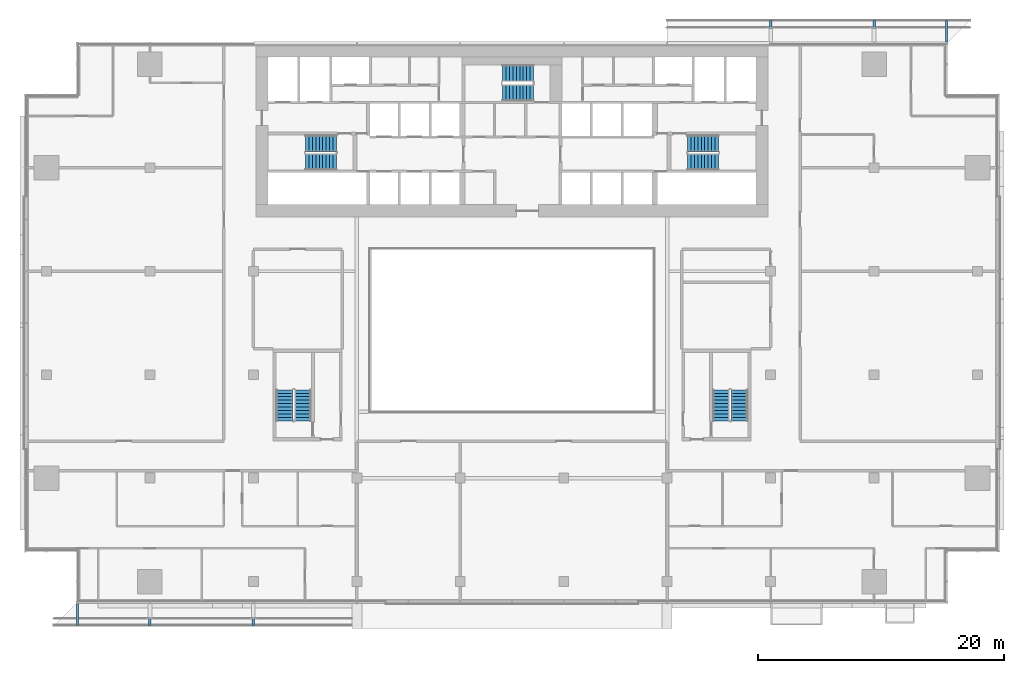
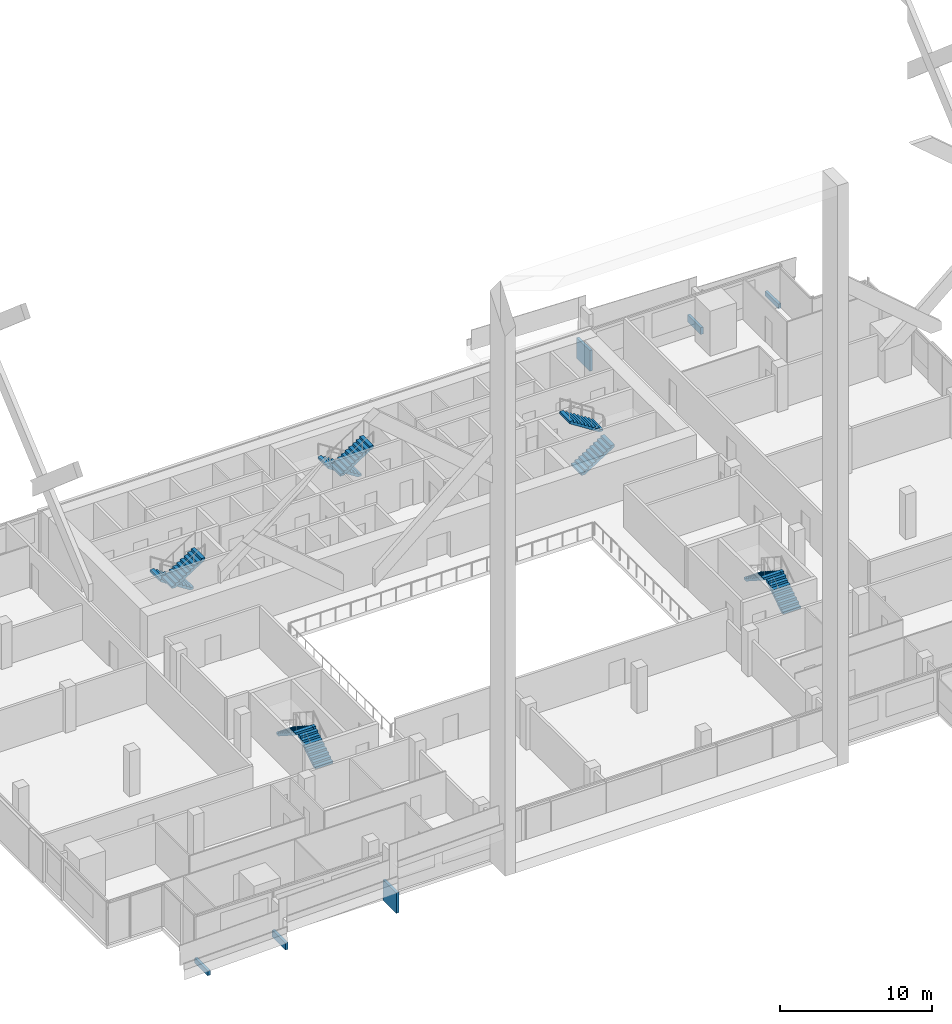
# One storey, part 25 of 30: 10 stair flights, 6 discrete accessories, 5 elements without a shape of their own.
"""IFC4 building model written with IfcOpenShell, lengths in metres."""

from ifc_helpers import new_model, si_unit, direction, frame, origin, origin_2d, place, context, subcontext, project, spatial, polyline, rectangle, outline, extrude, material, type_object, element, aggregate, save


model = new_model("IFC4")

# Units and contexts
model_context = context("Model", 3, precision=1e-05, world=origin(), true_north=direction((0.0, 1.0)))
body_context = subcontext(model_context, "Body", "Model", "MODEL_VIEW")
ifc_project = project(units=[si_unit("LENGTHUNIT", "METRE"), si_unit("AREAUNIT", "SQUARE_METRE"), si_unit("VOLUMEUNIT", "CUBIC_METRE"), si_unit("PLANEANGLEUNIT", "RADIAN"), si_unit("MASSUNIT", "GRAM", prefix="KILO")], contexts=[model_context])

# Site, building, storey
site_placement = place(None, origin())
site = spatial("IfcSite", under=ifc_project, at=site_placement, CompositionType="ELEMENT")
building_placement = place(site_placement, origin())
building = spatial("IfcBuilding", under=site, at=building_placement, Name="Saffron Gate Tower", CompositionType="ELEMENT")
storey_placement = place(building_placement, frame((0.0, 0.0, 95.25)))
storey = spatial("IfcBuildingStorey", under=building, at=storey_placement, Name="L21", CompositionType="ELEMENT", Elevation=95.25)

# Stair, stair flights
ifc_material = material(Name="Concrete C40", Category="concrete")
stair_type = type_object("IfcStairType", Name="ST7 Stair 1350 wide, 20 risers of 180", PredefinedType="HALF_TURN_STAIR", material=ifc_material)
stair_1_placement = place(storey_placement, origin())
stair_1 = element("IfcStair", 1, at=stair_1_placement, inside=storey, type_object=stair_type, Name="L21 Exit stair A", PredefinedType="HALF_TURN_STAIR")
stair_flight_type = type_object("IfcStairFlightType", Name="SF3 Stair flight 1350 wide, riser 180 going 280", PredefinedType="STRAIGHT", material=ifc_material)
stair_flight_1_placement = place(storey_placement, frame((73.35009765625, 67.375, 0.0), z_axis=(0.0, 0.0, 1.0), x_axis=(-1.0, 0.0, 0.0)))
stair_flight_1 = element("IfcStairFlight", 2, at=stair_flight_1_placement, type_object=stair_flight_type, Name="ST-A flight 1", NumberOfRisers=10, NumberOfTreads=9, PredefinedType="STRAIGHT", RiserHeight=0.18, TreadLength=0.28, context=body_context, shape_type="SweptSolid", body=[
    extrude(outline(polyline([(0.0, 0.0), (0.0, 0.179931640625), (0.280029296875, 0.179931640625), (0.280029296875, 0.360107421875), (0.56005859375, 0.360107421875), (0.56005859375, 0.5400390625), (0.840087890625, 0.5400390625), (0.840087890625, 0.719970703125), (1.1201171875, 0.719970703125), (1.1201171875, 0.89990234375), (1.39990234375, 0.89990234375), (1.39990234375, 1.080078125), (1.679931640625, 1.080078125), (1.679931640625, 1.260009765625), (1.9599609375, 1.260009765625), (1.9599609375, 1.43994140625), (2.239990234375, 1.43994140625), (2.239990234375, 1.6201171875), (2.52001953125, 1.6201171875), (2.52001953125, 1.800048828125), (2.52001953125, 1.44189453125), (0.277099609375, 0.0), (0.0, 0.0)])), frame((0.0, 0.675048828125, 0.0), z_axis=(0.0, -1.0, 0.0), x_axis=(1.0, 0.0, 0.0)), (0.0, 0.0, 1.0), 1.35009765625),
])
stair_flight_2_placement = place(storey_placement, frame((70.830078125, 65.875, 1.800048828125), z_axis=(0.0, 0.0, 1.0), x_axis=(1.0, 0.0, 0.0)))
stair_flight_2 = element("IfcStairFlight", 3, at=stair_flight_2_placement, type_object=stair_flight_type, Name="ST-A flight 2", NumberOfRisers=10, NumberOfTreads=9, PredefinedType="STRAIGHT", RiserHeight=0.18, TreadLength=0.28, context=body_context, shape_type="SweptSolid", body=[
    extrude(outline(polyline([(0.0, 0.0), (0.0, 0.179931640625), (0.280029296875, 0.179931640625), (0.280029296875, 0.360107421875), (0.56005859375, 0.360107421875), (0.56005859375, 0.5400390625), (0.840087890625, 0.5400390625), (0.840087890625, 0.719970703125), (1.1201171875, 0.719970703125), (1.1201171875, 0.89990234375), (1.39990234375, 0.89990234375), (1.39990234375, 1.080078125), (1.679931640625, 1.080078125), (1.679931640625, 1.260009765625), (1.9599609375, 1.260009765625), (1.9599609375, 1.43994140625), (2.239990234375, 1.43994140625), (2.239990234375, 1.6201171875), (2.52001953125, 1.6201171875), (2.52001953125, 1.800048828125), (2.52001953125, 1.44189453125), (0.277099609375, 0.0), (0.0, 0.0)])), frame((0.0, 0.675048828125, 0.0), z_axis=(0.0, -1.0, 0.0), x_axis=(1.0, 0.0, 0.0)), (0.0, 0.0, 1.0), 1.35009765625),
])
aggregate(stair_1, [stair_flight_1, stair_flight_2])

stair_2_placement = place(storey_placement, origin())
stair_2 = element("IfcStair", 4, at=stair_2_placement, inside=storey, type_object=stair_type, Name="L21 Exit stair B", PredefinedType="HALF_TURN_STAIR")
stair_flight_3_placement = place(storey_placement, frame((101.85009765625, 65.875, 0.0), z_axis=(0.0, 0.0, 1.0), x_axis=(1.0, 0.0, 0.0)))
stair_flight_3 = element("IfcStairFlight", 5, at=stair_flight_3_placement, type_object=stair_flight_type, Name="ST-B flight 1", NumberOfRisers=10, NumberOfTreads=9, PredefinedType="STRAIGHT", RiserHeight=0.18, TreadLength=0.28, context=body_context, shape_type="SweptSolid", body=[
    extrude(outline(polyline([(0.0, 0.0), (0.0, 0.179931640625), (0.280029296875, 0.179931640625), (0.280029296875, 0.360107421875), (0.56005859375, 0.360107421875), (0.56005859375, 0.5400390625), (0.840087890625, 0.5400390625), (0.840087890625, 0.719970703125), (1.1201171875, 0.719970703125), (1.1201171875, 0.89990234375), (1.39990234375, 0.89990234375), (1.39990234375, 1.080078125), (1.679931640625, 1.080078125), (1.679931640625, 1.260009765625), (1.9599609375, 1.260009765625), (1.9599609375, 1.43994140625), (2.239990234375, 1.43994140625), (2.239990234375, 1.6201171875), (2.52001953125, 1.6201171875), (2.52001953125, 1.800048828125), (2.52001953125, 1.44189453125), (0.277099609375, 0.0), (0.0, 0.0)])), frame((0.0, 0.675048828125, 0.0), z_axis=(0.0, -1.0, 0.0), x_axis=(1.0, 0.0, 0.0)), (0.0, 0.0, 1.0), 1.35009765625),
])
stair_flight_4_placement = place(storey_placement, frame((104.3701171875, 67.375, 1.800048828125), z_axis=(0.0, 0.0, 1.0), x_axis=(-1.0, 0.0, 0.0)))
stair_flight_4 = element("IfcStairFlight", 6, at=stair_flight_4_placement, type_object=stair_flight_type, Name="ST-B flight 2", NumberOfRisers=10, NumberOfTreads=9, PredefinedType="STRAIGHT", RiserHeight=0.18, TreadLength=0.28, context=body_context, shape_type="SweptSolid", body=[
    extrude(outline(polyline([(0.0, 0.0), (0.0, 0.179931640625), (0.280029296875, 0.179931640625), (0.280029296875, 0.360107421875), (0.56005859375, 0.360107421875), (0.56005859375, 0.5400390625), (0.840087890625, 0.5400390625), (0.840087890625, 0.719970703125), (1.1201171875, 0.719970703125), (1.1201171875, 0.89990234375), (1.39990234375, 0.89990234375), (1.39990234375, 1.080078125), (1.679931640625, 1.080078125), (1.679931640625, 1.260009765625), (1.9599609375, 1.260009765625), (1.9599609375, 1.43994140625), (2.239990234375, 1.43994140625), (2.239990234375, 1.6201171875), (2.52001953125, 1.6201171875), (2.52001953125, 1.800048828125), (2.52001953125, 1.44189453125), (0.277099609375, 0.0), (0.0, 0.0)])), frame((0.0, 0.675048828125, 0.0), z_axis=(0.0, -1.0, 0.0), x_axis=(1.0, 0.0, 0.0)), (0.0, 0.0, 1.0), 1.35009765625),
])
aggregate(stair_2, [stair_flight_3, stair_flight_4])

stair_3_placement = place(storey_placement, origin())
stair_3 = element("IfcStair", 7, at=stair_3_placement, inside=storey, type_object=stair_type, Name="L21 Exit stair C", PredefinedType="HALF_TURN_STAIR")
stair_flight_5_placement = place(storey_placement, frame((89.35009765625, 73.074951171875, 0.0), z_axis=(0.0, 0.0, 1.0), x_axis=(-1.0, 0.0, 0.0)))
stair_flight_5 = element("IfcStairFlight", 8, at=stair_flight_5_placement, type_object=stair_flight_type, Name="ST-C flight 1", NumberOfRisers=10, NumberOfTreads=9, PredefinedType="STRAIGHT", RiserHeight=0.18, TreadLength=0.28, context=body_context, shape_type="SweptSolid", body=[
    extrude(outline(polyline([(0.0, 0.0), (0.0, 0.179931640625), (0.280029296875, 0.179931640625), (0.280029296875, 0.360107421875), (0.56005859375, 0.360107421875), (0.56005859375, 0.5400390625), (0.840087890625, 0.5400390625), (0.840087890625, 0.719970703125), (1.1201171875, 0.719970703125), (1.1201171875, 0.89990234375), (1.39990234375, 0.89990234375), (1.39990234375, 1.080078125), (1.679931640625, 1.080078125), (1.679931640625, 1.260009765625), (1.9599609375, 1.260009765625), (1.9599609375, 1.43994140625), (2.239990234375, 1.43994140625), (2.239990234375, 1.6201171875), (2.52001953125, 1.6201171875), (2.52001953125, 1.800048828125), (2.52001953125, 1.44189453125), (0.277099609375, 0.0), (0.0, 0.0)])), frame((0.0, 0.675048828125, 0.0), z_axis=(0.0, -1.0, 0.0), x_axis=(1.0, 0.0, 0.0)), (0.0, 0.0, 1.0), 1.35009765625),
])
stair_flight_6_placement = place(storey_placement, frame((86.830078125, 71.47509765625, 1.800048828125), z_axis=(0.0, 0.0, 1.0), x_axis=(1.0, 0.0, 0.0)))
stair_flight_6 = element("IfcStairFlight", 9, at=stair_flight_6_placement, type_object=stair_flight_type, Name="ST-C flight 2", NumberOfRisers=10, NumberOfTreads=9, PredefinedType="STRAIGHT", RiserHeight=0.18, TreadLength=0.28, context=body_context, shape_type="SweptSolid", body=[
    extrude(outline(polyline([(0.0, 0.0), (0.0, 0.179931640625), (0.280029296875, 0.179931640625), (0.280029296875, 0.360107421875), (0.56005859375, 0.360107421875), (0.56005859375, 0.5400390625), (0.840087890625, 0.5400390625), (0.840087890625, 0.719970703125), (1.1201171875, 0.719970703125), (1.1201171875, 0.89990234375), (1.39990234375, 0.89990234375), (1.39990234375, 1.080078125), (1.679931640625, 1.080078125), (1.679931640625, 1.260009765625), (1.9599609375, 1.260009765625), (1.9599609375, 1.43994140625), (2.239990234375, 1.43994140625), (2.239990234375, 1.6201171875), (2.52001953125, 1.6201171875), (2.52001953125, 1.800048828125), (2.52001953125, 1.44189453125), (0.277099609375, 0.0), (0.0, 0.0)])), frame((0.0, 0.675048828125, 0.0), z_axis=(0.0, -1.0, 0.0), x_axis=(1.0, 0.0, 0.0)), (0.0, 0.0, 1.0), 1.35009765625),
])
aggregate(stair_3, [stair_flight_5, stair_flight_6])

stair_4_placement = place(storey_placement, origin())
stair_4 = element("IfcStair", 10, at=stair_4_placement, inside=storey, type_object=stair_type, Name="L21 Exit stair D", PredefinedType="HALF_TURN_STAIR")
stair_flight_7_placement = place(storey_placement, frame((70.625, 44.85009765625, 0.0), z_axis=(0.0, 0.0, 1.0), x_axis=(0.0, 1.0, 0.0)))
stair_flight_7 = element("IfcStairFlight", 11, at=stair_flight_7_placement, type_object=stair_flight_type, Name="ST-D flight 1", NumberOfRisers=10, NumberOfTreads=9, PredefinedType="STRAIGHT", RiserHeight=0.18, TreadLength=0.28, context=body_context, shape_type="SweptSolid", body=[
    extrude(outline(polyline([(0.0, 0.0), (0.0, 0.179931640625), (0.280029296875, 0.179931640625), (0.280029296875, 0.360107421875), (0.56005859375, 0.360107421875), (0.56005859375, 0.5400390625), (0.840087890625, 0.5400390625), (0.840087890625, 0.719970703125), (1.1201171875, 0.719970703125), (1.1201171875, 0.89990234375), (1.39990234375, 0.89990234375), (1.39990234375, 1.080078125), (1.679931640625, 1.080078125), (1.679931640625, 1.260009765625), (1.9599609375, 1.260009765625), (1.9599609375, 1.43994140625), (2.239990234375, 1.43994140625), (2.239990234375, 1.6201171875), (2.52001953125, 1.6201171875), (2.52001953125, 1.800048828125), (2.52001953125, 1.44189453125), (0.277099609375, 0.0), (0.0, 0.0)])), frame((0.0, 0.675048828125, 0.0), z_axis=(0.0, -1.0, 0.0), x_axis=(1.0, 0.0, 0.0)), (0.0, 0.0, 1.0), 1.35009765625),
])
stair_flight_8_placement = place(storey_placement, frame((69.125, 47.3701171875, 1.800048828125), z_axis=(0.0, 0.0, 1.0), x_axis=(0.0, -1.0, 0.0)))
stair_flight_8 = element("IfcStairFlight", 12, at=stair_flight_8_placement, type_object=stair_flight_type, Name="ST-D flight 2", NumberOfRisers=10, NumberOfTreads=9, PredefinedType="STRAIGHT", RiserHeight=0.18, TreadLength=0.28, context=body_context, shape_type="SweptSolid", body=[
    extrude(outline(polyline([(0.0, 0.0), (0.0, 0.179931640625), (0.280029296875, 0.179931640625), (0.280029296875, 0.360107421875), (0.56005859375, 0.360107421875), (0.56005859375, 0.5400390625), (0.840087890625, 0.5400390625), (0.840087890625, 0.719970703125), (1.1201171875, 0.719970703125), (1.1201171875, 0.89990234375), (1.39990234375, 0.89990234375), (1.39990234375, 1.080078125), (1.679931640625, 1.080078125), (1.679931640625, 1.260009765625), (1.9599609375, 1.260009765625), (1.9599609375, 1.43994140625), (2.239990234375, 1.43994140625), (2.239990234375, 1.6201171875), (2.52001953125, 1.6201171875), (2.52001953125, 1.800048828125), (2.52001953125, 1.44189453125), (0.277099609375, 0.0), (0.0, 0.0)])), frame((0.0, 0.675048828125, 0.0), z_axis=(0.0, -1.0, 0.0), x_axis=(1.0, 0.0, 0.0)), (0.0, 0.0, 1.0), 1.35009765625),
])
aggregate(stair_4, [stair_flight_7, stair_flight_8])

stair_5_placement = place(storey_placement, origin())
stair_5 = element("IfcStair", 13, at=stair_5_placement, inside=storey, type_object=stair_type, Name="L21 Exit stair E", PredefinedType="HALF_TURN_STAIR")
stair_flight_9_placement = place(storey_placement, frame((106.074951171875, 44.85009765625, 0.0), z_axis=(0.0, 0.0, 1.0), x_axis=(0.0, 1.0, 0.0)))
stair_flight_9 = element("IfcStairFlight", 14, at=stair_flight_9_placement, type_object=stair_flight_type, Name="ST-E flight 1", NumberOfRisers=10, NumberOfTreads=9, PredefinedType="STRAIGHT", RiserHeight=0.18, TreadLength=0.28, context=body_context, shape_type="SweptSolid", body=[
    extrude(outline(polyline([(0.0, 0.0), (0.0, 0.179931640625), (0.280029296875, 0.179931640625), (0.280029296875, 0.360107421875), (0.56005859375, 0.360107421875), (0.56005859375, 0.5400390625), (0.840087890625, 0.5400390625), (0.840087890625, 0.719970703125), (1.1201171875, 0.719970703125), (1.1201171875, 0.89990234375), (1.39990234375, 0.89990234375), (1.39990234375, 1.080078125), (1.679931640625, 1.080078125), (1.679931640625, 1.260009765625), (1.9599609375, 1.260009765625), (1.9599609375, 1.43994140625), (2.239990234375, 1.43994140625), (2.239990234375, 1.6201171875), (2.52001953125, 1.6201171875), (2.52001953125, 1.800048828125), (2.52001953125, 1.44189453125), (0.277099609375, 0.0), (0.0, 0.0)])), frame((0.0, 0.675048828125, 0.0), z_axis=(0.0, -1.0, 0.0), x_axis=(1.0, 0.0, 0.0)), (0.0, 0.0, 1.0), 1.35009765625),
])
stair_flight_10_placement = place(storey_placement, frame((104.574951171875, 47.3701171875, 1.800048828125), z_axis=(0.0, 0.0, 1.0), x_axis=(0.0, -1.0, 0.0)))
stair_flight_10 = element("IfcStairFlight", 15, at=stair_flight_10_placement, type_object=stair_flight_type, Name="ST-E flight 2", NumberOfRisers=10, NumberOfTreads=9, PredefinedType="STRAIGHT", RiserHeight=0.18, TreadLength=0.28, context=body_context, shape_type="SweptSolid", body=[
    extrude(outline(polyline([(0.0, 0.0), (0.0, 0.179931640625), (0.280029296875, 0.179931640625), (0.280029296875, 0.360107421875), (0.56005859375, 0.360107421875), (0.56005859375, 0.5400390625), (0.840087890625, 0.5400390625), (0.840087890625, 0.719970703125), (1.1201171875, 0.719970703125), (1.1201171875, 0.89990234375), (1.39990234375, 0.89990234375), (1.39990234375, 1.080078125), (1.679931640625, 1.080078125), (1.679931640625, 1.260009765625), (1.9599609375, 1.260009765625), (1.9599609375, 1.43994140625), (2.239990234375, 1.43994140625), (2.239990234375, 1.6201171875), (2.52001953125, 1.6201171875), (2.52001953125, 1.800048828125), (2.52001953125, 1.44189453125), (0.277099609375, 0.0), (0.0, 0.0)])), frame((0.0, 0.675048828125, 0.0), z_axis=(0.0, -1.0, 0.0), x_axis=(1.0, 0.0, 0.0)), (0.0, 0.0, 1.0), 1.35009765625),
])
aggregate(stair_5, [stair_flight_9, stair_flight_10])

# Discrete accessories
discrete_accessory_1_placement = place(storey_placement, frame((52.320068359375, 29.125, -0.280029296875), z_axis=(0.0, 0.0, 1.0), x_axis=(1.0, 0.0, 0.0)))
element("IfcDiscreteAccessory", 16, at=discrete_accessory_1_placement, inside=storey, Name="LEDGE rib", PredefinedType="BRACKET", context=body_context, shape_type="SweptSolid", body=[
    extrude(rectangle(XDim=0.199951171875, YDim=1.75, at=origin_2d()), origin(), (0.0, 0.0, 1.0), 0.3798828125),
])
discrete_accessory_2_placement = place(storey_placement, frame((58.199951171875, 29.125, -0.280029296875), z_axis=(0.0, 0.0, 1.0), x_axis=(1.0, 0.0, 0.0)))
element("IfcDiscreteAccessory", 17, at=discrete_accessory_2_placement, inside=storey, Name="LEDGE rib", PredefinedType="BRACKET", context=body_context, shape_type="SweptSolid", body=[
    extrude(rectangle(XDim=0.199951171875, YDim=1.75, at=origin_2d()), origin(), (0.0, 0.0, 1.0), 0.552734375),
])
discrete_accessory_3_placement = place(storey_placement, frame((66.60009765625, 29.125, -0.27978515625), z_axis=(0.0, 0.0, 1.0), x_axis=(1.0, 0.0, 0.0)))
element("IfcDiscreteAccessory", 18, at=discrete_accessory_3_placement, inside=storey, Name="LEDGE rib", PredefinedType="BRACKET", context=body_context, shape_type="SweptSolid", body=[
    extrude(rectangle(XDim=0.199951171875, YDim=1.75, at=origin_2d()), origin(), (0.0, 0.0, 1.0), 1.652099609375),
])
discrete_accessory_4_placement = place(storey_placement, frame((122.8798828125, 76.47509765625, -0.280029296875), z_axis=(0.0, 0.0, 1.0), x_axis=(-1.0, 0.0, 0.0)))
element("IfcDiscreteAccessory", 19, at=discrete_accessory_4_placement, inside=storey, Name="LEDGE rib", PredefinedType="BRACKET", context=body_context, shape_type="SweptSolid", body=[
    extrude(rectangle(XDim=0.199951171875, YDim=1.75, at=origin_2d()), origin(), (0.0, 0.0, 1.0), 0.3798828125),
])
discrete_accessory_5_placement = place(storey_placement, frame((117.0, 76.47509765625, -0.280029296875), z_axis=(0.0, 0.0, 1.0), x_axis=(-1.0, 0.0, 0.0)))
element("IfcDiscreteAccessory", 20, at=discrete_accessory_5_placement, inside=storey, Name="LEDGE rib", PredefinedType="BRACKET", context=body_context, shape_type="SweptSolid", body=[
    extrude(rectangle(XDim=0.199951171875, YDim=1.75, at=origin_2d()), origin(), (0.0, 0.0, 1.0), 0.552734375),
])
discrete_accessory_6_placement = place(storey_placement, frame((108.60009765625, 76.47509765625, -0.27978515625), z_axis=(0.0, 0.0, 1.0), x_axis=(-1.0, 0.0, 0.0)))
element("IfcDiscreteAccessory", 21, at=discrete_accessory_6_placement, inside=storey, Name="LEDGE rib", PredefinedType="BRACKET", context=body_context, shape_type="SweptSolid", body=[
    extrude(rectangle(XDim=0.199951171875, YDim=1.75, at=origin_2d()), origin(), (0.0, 0.0, 1.0), 1.652099609375),
])

save(model, "model.ifc")
